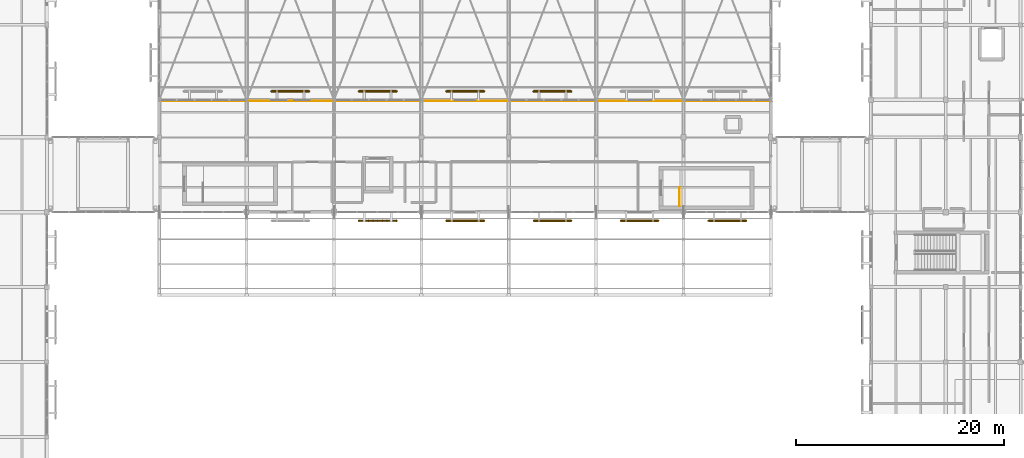
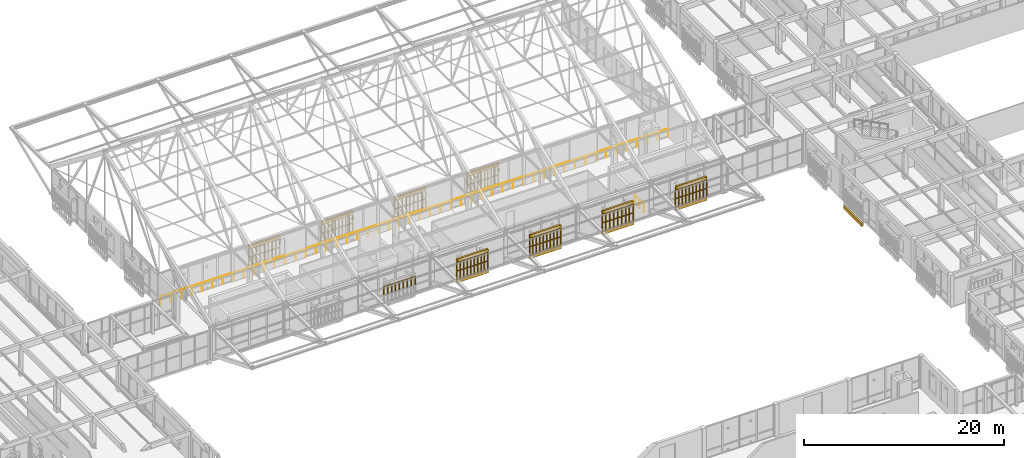
# One storey, part 207 of 217: 19 railings, 17 coverings.
"""IFC4 building model written with IfcOpenShell, lengths in metres."""

import ifcopenshell
import ifcopenshell.guid

model = None  # the IFC model being written
_history = None  # IfcOwnerHistory: only IFC2X3 demands one
_inside = {}  # id of a spatial element -> (the spatial element, [elements in it])
_under = {}  # id of a project, library or spatial element -> (it, [spatial elements below it])
_declared = {}  # id of a project -> (the project, [libraries it declares])
_typed = {}  # id of a type object -> (the type object, [elements of that type])
_made_of = {}  # id of a material, layer set ... -> (it, [elements and type objects made of it])


def new_model(schema):
    """Start an empty IFC model of exactly this schema.

    Asked for "IFC4X3", IfcOpenShell would pick the latest addendum, in which some entities
    have other attributes; the version numbers below select the first issue.
    IFC2X3 requires an IfcOwnerHistory on every rooted entity: one is made here for all.
    """
    global model, _history
    if schema == "IFC4X3":
        model = ifcopenshell.file(schema_version=(4, 3, 0, 0))
    else:
        model = ifcopenshell.file(schema=schema)
    _inside.clear()
    _under.clear()
    _declared.clear()
    _typed.clear()
    _made_of.clear()
    _history = None
    if model.schema == "IFC2X3":
        org = make("IfcOrganization", Name="unknown")
        user = make(
            "IfcPersonAndOrganization",
            ThePerson=make("IfcPerson", FamilyName="unknown"),
            TheOrganization=org,
        )
        app = make(
            "IfcApplication",
            ApplicationDeveloper=org,
            Version="unknown",
            ApplicationFullName="unknown",
            ApplicationIdentifier="unknown",
        )
        _history = make(
            "IfcOwnerHistory",
            OwningUser=user,
            OwningApplication=app,
            ChangeAction="ADDED",
            CreationDate=0,
        )
    return model


def make(cls, **values):
    """One entity of the class cls with the attributes given. An attribute that is None is left unset."""
    return model.create_entity(
        cls, **{name: value for name, value in values.items() if value is not None}
    )


def rooted(cls, **values):
    """An entity with a GlobalId (a new one), such as an element, a storey or a relation."""
    return make(cls, GlobalId=ifcopenshell.guid.new(), OwnerHistory=_history, **values)


def si_unit(unit_type, name, prefix=None):
    """IfcSIUnit, for example si_unit("LENGTHUNIT", "METRE", prefix="MILLI")."""
    return make("IfcSIUnit", UnitType=unit_type, Prefix=prefix, Name=name)


def assignment(units):
    """IfcUnitAssignment: the units of a project."""
    return None if units is None else make("IfcUnitAssignment", Units=units)


def point(xyz):
    """IfcCartesianPoint."""
    return None if xyz is None else make("IfcCartesianPoint", Coordinates=xyz)


def direction(xyz):
    """IfcDirection."""
    return None if xyz is None else make("IfcDirection", DirectionRatios=xyz)


def frame(location, z_axis=None, x_axis=None):
    """IfcAxis2Placement3D, a coordinate frame: its origin and axes. An axis left out is left unset."""
    return make(
        "IfcAxis2Placement3D",
        Location=point(location),
        Axis=direction(z_axis),
        RefDirection=direction(x_axis),
    )


def frame_2d(location, x_axis=None):
    """IfcAxis2Placement2D, a coordinate frame in the plane: its origin and x axis."""
    return make(
        "IfcAxis2Placement2D", Location=point(location), RefDirection=direction(x_axis)
    )


def origin():
    """The frame at (0, 0, 0) with its axes left unset."""
    return frame((0.0, 0.0, 0.0))


def origin_2d():
    """The frame at (0, 0) in the plane with its x axis left unset."""
    return frame_2d((0.0, 0.0))


def place(relative_to, where):
    """IfcLocalPlacement: puts the frame where relative to a parent placement (None: the world)."""
    return make(
        "IfcLocalPlacement", PlacementRelTo=relative_to, RelativePlacement=where
    )


def context(
    kind, dimensions, precision=None, world=None, true_north=None, identifier=None
):
    """IfcGeometricRepresentationContext, for example the 3D "Model" context."""
    return make(
        "IfcGeometricRepresentationContext",
        ContextIdentifier=identifier,
        ContextType=kind,
        CoordinateSpaceDimension=dimensions,
        Precision=precision,
        WorldCoordinateSystem=world,
        TrueNorth=true_north,
    )


def subcontext(parent, identifier, kind, view, scale=None):
    """IfcGeometricRepresentationSubContext, for example "Body" below "Model"."""
    return make(
        "IfcGeometricRepresentationSubContext",
        ContextIdentifier=identifier,
        ContextType=kind,
        ParentContext=parent,
        TargetScale=scale,
        TargetView=view,
    )


def project(units=None, contexts=None):
    """IfcProject with its units and contexts."""
    return rooted(
        "IfcProject",
        Name="project",
        RepresentationContexts=contexts,
        UnitsInContext=assignment(units),
    )


def spatial(cls, under=None, at=None, **own):
    """A site, building, storey or space (cls), placed at a placement, below another one or the project."""
    s = rooted(cls, ObjectPlacement=at, **own)
    if under is not None:
        _under.setdefault(under.id(), (under, []))[1].append(s)
    return s


def polyline(points):
    """IfcPolyline through the points."""
    return make("IfcPolyline", Points=[point(p) for p in points])


def profile(cls, at=None, kind="AREA", **sizes):
    """A parametric profile (cls). Its sizes go by their IFC names, for example OverallWidth=200.0."""
    return make(cls, ProfileType=kind, Position=at, **sizes)


def circle(**sizes):
    """IfcCircleProfileDef."""
    return profile("IfcCircleProfileDef", **sizes)


def outline(outer, holes=None, kind="AREA"):
    """IfcArbitraryClosedProfileDef: a profile drawn as a closed curve; with holes, ...WithVoids."""
    if holes is None:
        return make("IfcArbitraryClosedProfileDef", ProfileType=kind, OuterCurve=outer)
    return make(
        "IfcArbitraryProfileDefWithVoids",
        ProfileType=kind,
        OuterCurve=outer,
        InnerCurves=holes,
    )


def extrude(swept, where, along, depth):
    """IfcExtrudedAreaSolid: the profile swept, set in the frame where, extruded along a direction by depth."""
    return make(
        "IfcExtrudedAreaSolid",
        SweptArea=swept,
        Position=where,
        ExtrudedDirection=direction(along),
        Depth=depth,
    )


def shape(context_of_items, identifier, shape_type, items):
    """IfcShapeRepresentation: the items that make up one representation, for example the "Body"."""
    return make(
        "IfcShapeRepresentation",
        ContextOfItems=context_of_items,
        RepresentationIdentifier=identifier,
        RepresentationType=shape_type,
        Items=items,
    )


def material(Name=None, Category=None):
    """IfcMaterial."""
    return make("IfcMaterial", Name=Name, Category=Category)


def layer(
    of_material, thickness, ventilated=None, Name=None, Category=None, Priority=None
):
    """IfcMaterialLayer: one layer of a wall or slab, of a material (None: an air gap)."""
    return make(
        "IfcMaterialLayer",
        Material=of_material,
        LayerThickness=thickness,
        IsVentilated=ventilated,
        Name=Name,
        Category=Category,
        Priority=Priority,
    )


def layer_set(layers, Name=None):
    """IfcMaterialLayerSet."""
    return make("IfcMaterialLayerSet", MaterialLayers=layers, LayerSetName=Name)


def made_of(thing, what):
    """Note that an element or type object is made of a material, layer set ...; save() writes the relation."""
    if what is not None:
        _made_of.setdefault(what.id(), (what, []))[1].append(thing)
    return thing


def type_object(cls, material=None, **own):
    """A type object (cls), such as IfcWallType, which elements share."""
    return made_of(rooted(cls, **own), material)


def element(
    cls,
    number,
    at=None,
    inside=None,
    cuts=None,
    type_object=None,
    material=None,
    context=None,
    identifier="Body",
    shape_type=None,
    held_by="IfcProductDefinitionShape",
    body=None,
    shapes=None,
    **own,
):
    """One element of the class cls, such as IfcWall. Its Tag is "e" and its number.

    at: its placement. inside: the storey or other place that contains it. cuts: it is an
    opening in that element (IfcRelVoidsElement). A single representation is given by context,
    identifier, shape_type and body (its items); several are given by shapes. held_by: the class
    of the entity that holds the representations. save() writes the other relations.
    """
    e = rooted(cls, Tag="e%d" % number, ObjectPlacement=at, **own)
    if body is not None:
        shapes = [shape(context, identifier, shape_type, body)]
    if shapes is not None:
        e.Representation = make(held_by, Representations=shapes)
    if inside is not None:
        _inside.setdefault(inside.id(), (inside, []))[1].append(e)
    if cuts is not None:
        rooted(
            "IfcRelVoidsElement", RelatingBuildingElement=cuts, RelatedOpeningElement=e
        )
    if type_object is not None:
        _typed.setdefault(type_object.id(), (type_object, []))[1].append(e)
    return made_of(e, material)


def aggregate(whole, parts):
    """IfcRelAggregates: a whole, such as a stair, and the parts it consists of."""
    return rooted("IfcRelAggregates", RelatingObject=whole, RelatedObjects=parts)


def save(model, path):
    """Write the relations noted so far, then the file.

    IfcRelAggregates (storeys below a building ...), IfcRelContainedInSpatialStructure (elements
    in a storey), IfcRelDefinesByType, IfcRelAssociatesMaterial and IfcRelDeclares: one each for
    every whole, place, type object, material and project.
    """
    for whole, parts in _under.values():
        aggregate(whole, parts)
    for where, things in _inside.values():
        rooted(
            "IfcRelContainedInSpatialStructure",
            RelatedElements=things,
            RelatingStructure=where,
        )
    for kind, things in _typed.values():
        rooted("IfcRelDefinesByType", RelatedObjects=things, RelatingType=kind)
    for what, things in _made_of.values():
        rooted("IfcRelAssociatesMaterial", RelatedObjects=things, RelatingMaterial=what)
    for by, libraries in _declared.values():
        rooted("IfcRelDeclares", RelatingContext=by, RelatedDefinitions=libraries)
    model.write(path)


model = new_model("IFC4")

# Units and contexts
model_context = context("Model", 3, precision=1e-05, world=origin(), true_north=direction((0.0, 1.0)))
body_context = subcontext(model_context, "Body", "Model", "MODEL_VIEW")
ifc_project = project(units=[si_unit("LENGTHUNIT", "METRE"), si_unit("AREAUNIT", "SQUARE_METRE"), si_unit("VOLUMEUNIT", "CUBIC_METRE"), si_unit("PLANEANGLEUNIT", "RADIAN"), si_unit("MASSUNIT", "GRAM", prefix="KILO")], contexts=[model_context])

# Site, building, storey
site_placement = place(None, origin())
site = spatial("IfcSite", under=ifc_project, at=site_placement, CompositionType="ELEMENT")
building_placement = place(site_placement, origin())
building = spatial("IfcBuilding", under=site, at=building_placement, Name="Mazaris Harbour Polytechnic", CompositionType="ELEMENT")
storey_placement = place(building_placement, frame((0.0, 0.0, 9.60009765625)))
storey = spatial("IfcBuildingStorey", under=building, at=storey_placement, Name="L02", CompositionType="ELEMENT", Elevation=9.60009765625)

# Railings
ifc_material_1 = material(Name="Steel S355", Category="steel")
railing_type_1 = type_object("IfcRailingType", Name="Mezzanine Steel Guardrail 1100", PredefinedType="GUARDRAIL", material=ifc_material_1)
railing_1_placement = place(storey_placement, frame((54.14990234375, 86.300048828125, 0.0)))
element("IfcRailing", 1, at=railing_1_placement, inside=storey, type_object=railing_type_1, Name="Railing GRD-V1-L02", PredefinedType="GUARDRAIL", context=body_context, shape_type="SweptSolid", body=[
    extrude(circle(Radius=0.02392578125, at=origin_2d()), frame((0.0, 0.0, 1.09619140625), z_axis=(1.0, 0.0, 0.0), x_axis=(0.0, 1.0, 0.0)), (0.0, 0.0, 1.0), 58.5),
    extrude(circle(Radius=0.02099609375, at=origin_2d()), origin(), (0.0, 0.0, 1.0), 1.072021484375),
    extrude(circle(Radius=0.02099609375, at=origin_2d()), frame((1.19384765625, 0.0, 0.0)), (0.0, 0.0, 1.0), 1.072021484375),
    extrude(circle(Radius=0.02099609375, at=origin_2d()), frame((2.3876953125, 0.0, 0.0)), (0.0, 0.0, 1.0), 1.072021484375),
    extrude(circle(Radius=0.02099609375, at=origin_2d()), frame((3.58154296875, 0.0, 0.0)), (0.0, 0.0, 1.0), 1.072021484375),
    extrude(circle(Radius=0.02099609375, at=origin_2d()), frame((4.775390625, 0.0, 0.0)), (0.0, 0.0, 1.0), 1.072021484375),
    extrude(circle(Radius=0.02099609375, at=origin_2d()), frame((5.969482421875, 0.0, 0.0)), (0.0, 0.0, 1.0), 1.072021484375),
    extrude(circle(Radius=0.02099609375, at=origin_2d()), frame((7.163330078125, 0.0, 0.0)), (0.0, 0.0, 1.0), 1.072021484375),
    extrude(circle(Radius=0.02099609375, at=origin_2d()), frame((8.357177734375, 0.0, 0.0)), (0.0, 0.0, 1.0), 1.072021484375),
    extrude(circle(Radius=0.02099609375, at=origin_2d()), frame((9.551025390625, 0.0, 0.0)), (0.0, 0.0, 1.0), 1.072021484375),
    extrude(circle(Radius=0.02099609375, at=origin_2d()), frame((10.744873046875, 0.0, 0.0)), (0.0, 0.0, 1.0), 1.072021484375),
    extrude(circle(Radius=0.02099609375, at=origin_2d()), frame((11.938720703125, 0.0, 0.0)), (0.0, 0.0, 1.0), 1.072021484375),
    extrude(circle(Radius=0.02099609375, at=origin_2d()), frame((13.132568359375, 0.0, 0.0)), (0.0, 0.0, 1.0), 1.072021484375),
    extrude(circle(Radius=0.02099609375, at=origin_2d()), frame((14.326416015625, 0.0, 0.0)), (0.0, 0.0, 1.0), 1.072021484375),
    extrude(circle(Radius=0.02099609375, at=origin_2d()), frame((15.5205078125, 0.0, 0.0)), (0.0, 0.0, 1.0), 1.072021484375),
    extrude(circle(Radius=0.02099609375, at=origin_2d()), frame((16.71435546875, 0.0, 0.0)), (0.0, 0.0, 1.0), 1.072021484375),
    extrude(circle(Radius=0.02099609375, at=origin_2d()), frame((17.908203125, 0.0, 0.0)), (0.0, 0.0, 1.0), 1.072021484375),
    extrude(circle(Radius=0.02099609375, at=origin_2d()), frame((19.10205078125, 0.0, 0.0)), (0.0, 0.0, 1.0), 1.072021484375),
    extrude(circle(Radius=0.02099609375, at=origin_2d()), frame((20.2958984375, 0.0, 0.0)), (0.0, 0.0, 1.0), 1.072021484375),
    extrude(circle(Radius=0.02099609375, at=origin_2d()), frame((21.48974609375, 0.0, 0.0)), (0.0, 0.0, 1.0), 1.072021484375),
    extrude(circle(Radius=0.02099609375, at=origin_2d()), frame((22.68359375, 0.0, 0.0)), (0.0, 0.0, 1.0), 1.072021484375),
    extrude(circle(Radius=0.02099609375, at=origin_2d()), frame((23.87744140625, 0.0, 0.0)), (0.0, 0.0, 1.0), 1.072021484375),
    extrude(circle(Radius=0.02099609375, at=origin_2d()), frame((25.071533203125, 0.0, 0.0)), (0.0, 0.0, 1.0), 1.072021484375),
    extrude(circle(Radius=0.02099609375, at=origin_2d()), frame((26.265380859375, 0.0, 0.0)), (0.0, 0.0, 1.0), 1.072021484375),
    extrude(circle(Radius=0.02099609375, at=origin_2d()), frame((27.459228515625, 0.0, 0.0)), (0.0, 0.0, 1.0), 1.072021484375),
    extrude(circle(Radius=0.02099609375, at=origin_2d()), frame((28.653076171875, 0.0, 0.0)), (0.0, 0.0, 1.0), 1.072021484375),
    extrude(circle(Radius=0.02099609375, at=origin_2d()), frame((29.846923828125, 0.0, 0.0)), (0.0, 0.0, 1.0), 1.072021484375),
    extrude(circle(Radius=0.02099609375, at=origin_2d()), frame((31.040771484375, 0.0, 0.0)), (0.0, 0.0, 1.0), 1.072021484375),
    extrude(circle(Radius=0.02099609375, at=origin_2d()), frame((32.234619140625, 0.0, 0.0)), (0.0, 0.0, 1.0), 1.072021484375),
    extrude(circle(Radius=0.02099609375, at=origin_2d()), frame((33.428466796875, 0.0, 0.0)), (0.0, 0.0, 1.0), 1.072021484375),
    extrude(circle(Radius=0.02099609375, at=origin_2d()), frame((34.62255859375, 0.0, 0.0)), (0.0, 0.0, 1.0), 1.072021484375),
    extrude(circle(Radius=0.02099609375, at=origin_2d()), frame((35.81640625, 0.0, 0.0)), (0.0, 0.0, 1.0), 1.072021484375),
    extrude(circle(Radius=0.02099609375, at=origin_2d()), frame((37.01025390625, 0.0, 0.0)), (0.0, 0.0, 1.0), 1.072021484375),
    extrude(circle(Radius=0.02099609375, at=origin_2d()), frame((38.2041015625, 0.0, 0.0)), (0.0, 0.0, 1.0), 1.072021484375),
    extrude(circle(Radius=0.02099609375, at=origin_2d()), frame((39.39794921875, 0.0, 0.0)), (0.0, 0.0, 1.0), 1.072021484375),
    extrude(circle(Radius=0.02099609375, at=origin_2d()), frame((40.591796875, 0.0, 0.0)), (0.0, 0.0, 1.0), 1.072021484375),
    extrude(circle(Radius=0.02099609375, at=origin_2d()), frame((41.78564453125, 0.0, 0.0)), (0.0, 0.0, 1.0), 1.072021484375),
    extrude(circle(Radius=0.02099609375, at=origin_2d()), frame((42.9794921875, 0.0, 0.0)), (0.0, 0.0, 1.0), 1.072021484375),
    extrude(circle(Radius=0.02099609375, at=origin_2d()), frame((44.173583984375, 0.0, 0.0)), (0.0, 0.0, 1.0), 1.072021484375),
    extrude(circle(Radius=0.02099609375, at=origin_2d()), frame((45.367431640625, 0.0, 0.0)), (0.0, 0.0, 1.0), 1.072021484375),
    extrude(circle(Radius=0.02099609375, at=origin_2d()), frame((46.561279296875, 0.0, 0.0)), (0.0, 0.0, 1.0), 1.072021484375),
    extrude(circle(Radius=0.02099609375, at=origin_2d()), frame((47.755126953125, 0.0, 0.0)), (0.0, 0.0, 1.0), 1.072021484375),
    extrude(circle(Radius=0.02099609375, at=origin_2d()), frame((48.948974609375, 0.0, 0.0)), (0.0, 0.0, 1.0), 1.072021484375),
    extrude(circle(Radius=0.02099609375, at=origin_2d()), frame((50.142822265625, 0.0, 0.0)), (0.0, 0.0, 1.0), 1.072021484375),
    extrude(circle(Radius=0.02099609375, at=origin_2d()), frame((51.336669921875, 0.0, 0.0)), (0.0, 0.0, 1.0), 1.072021484375),
    extrude(circle(Radius=0.02099609375, at=origin_2d()), frame((52.530517578125, 0.0, 0.0)), (0.0, 0.0, 1.0), 1.072021484375),
    extrude(circle(Radius=0.02099609375, at=origin_2d()), frame((53.724609375, 0.0, 0.0)), (0.0, 0.0, 1.0), 1.072021484375),
    extrude(circle(Radius=0.02099609375, at=origin_2d()), frame((54.91845703125, 0.0, 0.0)), (0.0, 0.0, 1.0), 1.072021484375),
    extrude(circle(Radius=0.02099609375, at=origin_2d()), frame((56.1123046875, 0.0, 0.0)), (0.0, 0.0, 1.0), 1.072021484375),
    extrude(circle(Radius=0.02099609375, at=origin_2d()), frame((57.30615234375, 0.0, 0.0)), (0.0, 0.0, 1.0), 1.072021484375),
    extrude(circle(Radius=0.02099609375, at=origin_2d()), frame((58.5, 0.0, 0.0)), (0.0, 0.0, 1.0), 1.072021484375),
])
ifc_material_2 = material(Name="Perforated Earth-Coloured Terracotta Block", Category="masonry")
railing_type_2 = type_object("IfcRailingType", Name="Perforated Earth-Block Claustra Lattice 1040", PredefinedType="BALUSTRADE", material=ifc_material_2)
railing_2_placement = place(storey_placement, frame((76.804931640625, 74.780029296875, 1.60986328125)))
element("IfcRailing", 2, at=railing_2_placement, inside=storey, type_object=railing_type_2, Name="V1 L02 Upper Perforated Terracotta Block Screen 25", PredefinedType="BALUSTRADE", context=body_context, shape_type="SweptSolid", body=[
    extrude(circle(Radius=0.06982421875, at=origin_2d()), frame((0.0, 0.0, 1.02001953125), z_axis=(-1.0, 0.0, 0.0), x_axis=(0.0, -1.0, 0.0)), (0.0, 0.0, 1.0), 3.599853515625),
    extrude(circle(Radius=0.074951171875, at=origin_2d()), origin(), (0.0, 0.0, 1.0), 0.9501953125),
    extrude(circle(Radius=0.074951171875, at=origin_2d()), frame((-0.449951171875, 0.0, 0.0)), (0.0, 0.0, 1.0), 0.9501953125),
    extrude(circle(Radius=0.074951171875, at=origin_2d()), frame((-0.89990234375, 0.0, 0.0)), (0.0, 0.0, 1.0), 0.9501953125),
    extrude(circle(Radius=0.074951171875, at=origin_2d()), frame((-1.349853515625, 0.0, 0.0)), (0.0, 0.0, 1.0), 0.9501953125),
    extrude(circle(Radius=0.074951171875, at=origin_2d()), frame((-1.7998046875, 0.0, 0.0)), (0.0, 0.0, 1.0), 0.9501953125),
    extrude(circle(Radius=0.074951171875, at=origin_2d()), frame((-2.25, 0.0, 0.0)), (0.0, 0.0, 1.0), 0.9501953125),
    extrude(circle(Radius=0.074951171875, at=origin_2d()), frame((-2.699951171875, 0.0, 0.0)), (0.0, 0.0, 1.0), 0.9501953125),
    extrude(circle(Radius=0.074951171875, at=origin_2d()), frame((-3.14990234375, 0.0, 0.0)), (0.0, 0.0, 1.0), 0.9501953125),
    extrude(circle(Radius=0.074951171875, at=origin_2d()), frame((-3.599853515625, 0.0, 0.0)), (0.0, 0.0, 1.0), 0.9501953125),
])
for number, where, name in (
    (3, (85.215087890625, 74.780029296875, 0.52001953125), "V1 L02 Lower Perforated Terracotta Block Screen 26"),
    (4, (85.215087890625, 74.780029296875, 1.60986328125), "V1 L02 Upper Perforated Terracotta Block Screen 26"),
    (5, (93.60498046875, 74.780029296875, 0.52001953125), "V1 L02 Lower Perforated Terracotta Block Screen 27"),
    (6, (93.60498046875, 74.780029296875, 1.60986328125), "V1 L02 Upper Perforated Terracotta Block Screen 27"),
):
    element("IfcRailing", number, at=place(storey_placement, frame(where)), inside=storey, type_object=railing_type_2, Name=name, PredefinedType="BALUSTRADE", context=body_context, shape_type="SweptSolid", body=[
        extrude(circle(Radius=0.06982421875, at=origin_2d()), frame((0.0, 0.0, 1.02001953125), z_axis=(-1.0, 0.0, 0.0), x_axis=(0.0, -1.0, 0.0)), (0.0, 0.0, 1.0), 3.60009765625),
        extrude(circle(Radius=0.074951171875, at=origin_2d()), origin(), (0.0, 0.0, 1.0), 0.9501953125),
        extrude(circle(Radius=0.074951171875, at=origin_2d()), frame((-0.39990234375, 0.0, 0.0)), (0.0, 0.0, 1.0), 0.9501953125),
        extrude(circle(Radius=0.074951171875, at=origin_2d()), frame((-0.800048828125, 0.0, 0.0)), (0.0, 0.0, 1.0), 0.9501953125),
        extrude(circle(Radius=0.074951171875, at=origin_2d()), frame((-1.199951171875, 0.0, 0.0)), (0.0, 0.0, 1.0), 0.9501953125),
        extrude(circle(Radius=0.074951171875, at=origin_2d()), frame((-1.60009765625, 0.0, 0.0)), (0.0, 0.0, 1.0), 0.9501953125),
        extrude(circle(Radius=0.074951171875, at=origin_2d()), frame((-2.0, 0.0, 0.0)), (0.0, 0.0, 1.0), 0.9501953125),
        extrude(circle(Radius=0.074951171875, at=origin_2d()), frame((-2.400146484375, 0.0, 0.0)), (0.0, 0.0, 1.0), 0.9501953125),
        extrude(circle(Radius=0.074951171875, at=origin_2d()), frame((-2.800048828125, 0.0, 0.0)), (0.0, 0.0, 1.0), 0.9501953125),
        extrude(circle(Radius=0.074951171875, at=origin_2d()), frame((-3.2001953125, 0.0, 0.0)), (0.0, 0.0, 1.0), 0.9501953125),
        extrude(circle(Radius=0.074951171875, at=origin_2d()), frame((-3.60009765625, 0.0, 0.0)), (0.0, 0.0, 1.0), 0.9501953125),
    ])
for number, where, name in (
    (7, (101.969970703125, 74.780029296875, 0.52001953125), "V1 L02 Lower Perforated Terracotta Block Screen 28"),
    (8, (101.969970703125, 74.780029296875, 1.60986328125), "V1 L02 Upper Perforated Terracotta Block Screen 28"),
):
    element("IfcRailing", number, at=place(storey_placement, frame(where)), inside=storey, type_object=railing_type_2, Name=name, PredefinedType="BALUSTRADE", context=body_context, shape_type="SweptSolid", body=[
        extrude(circle(Radius=0.06982421875, at=origin_2d()), frame((0.0, 0.0, 1.02001953125), z_axis=(-1.0, 0.0, 0.0), x_axis=(0.0, -1.0, 0.0)), (0.0, 0.0, 1.0), 3.599853515625),
        extrude(circle(Radius=0.074951171875, at=origin_2d()), origin(), (0.0, 0.0, 1.0), 0.9501953125),
        extrude(circle(Radius=0.074951171875, at=origin_2d()), frame((-0.449951171875, 0.0, 0.0)), (0.0, 0.0, 1.0), 0.9501953125),
        extrude(circle(Radius=0.074951171875, at=origin_2d()), frame((-0.89990234375, 0.0, 0.0)), (0.0, 0.0, 1.0), 0.9501953125),
        extrude(circle(Radius=0.074951171875, at=origin_2d()), frame((-1.349853515625, 0.0, 0.0)), (0.0, 0.0, 1.0), 0.9501953125),
        extrude(circle(Radius=0.074951171875, at=origin_2d()), frame((-1.7998046875, 0.0, 0.0)), (0.0, 0.0, 1.0), 0.9501953125),
        extrude(circle(Radius=0.074951171875, at=origin_2d()), frame((-2.25, 0.0, 0.0)), (0.0, 0.0, 1.0), 0.9501953125),
        extrude(circle(Radius=0.074951171875, at=origin_2d()), frame((-2.699951171875, 0.0, 0.0)), (0.0, 0.0, 1.0), 0.9501953125),
        extrude(circle(Radius=0.074951171875, at=origin_2d()), frame((-3.14990234375, 0.0, 0.0)), (0.0, 0.0, 1.0), 0.9501953125),
        extrude(circle(Radius=0.074951171875, at=origin_2d()), frame((-3.599853515625, 0.0, 0.0)), (0.0, 0.0, 1.0), 0.9501953125),
    ])
for number, where, name in (
    (9, (110.4150390625, 74.780029296875, 0.52001953125), "V1 L02 Lower Perforated Terracotta Block Screen 29"),
    (10, (110.4150390625, 74.780029296875, 1.60986328125), "V1 L02 Upper Perforated Terracotta Block Screen 29"),
):
    element("IfcRailing", number, at=place(storey_placement, frame(where)), inside=storey, type_object=railing_type_2, Name=name, PredefinedType="BALUSTRADE", context=body_context, shape_type="SweptSolid", body=[
        extrude(circle(Radius=0.06982421875, at=origin_2d()), frame((0.0, 0.0, 1.02001953125), z_axis=(-1.0, 0.0, 0.0), x_axis=(0.0, -1.0, 0.0)), (0.0, 0.0, 1.0), 3.60009765625),
        extrude(circle(Radius=0.074951171875, at=origin_2d()), origin(), (0.0, 0.0, 1.0), 0.9501953125),
        extrude(circle(Radius=0.074951171875, at=origin_2d()), frame((-0.39990234375, 0.0, 0.0)), (0.0, 0.0, 1.0), 0.9501953125),
        extrude(circle(Radius=0.074951171875, at=origin_2d()), frame((-0.800048828125, 0.0, 0.0)), (0.0, 0.0, 1.0), 0.9501953125),
        extrude(circle(Radius=0.074951171875, at=origin_2d()), frame((-1.199951171875, 0.0, 0.0)), (0.0, 0.0, 1.0), 0.9501953125),
        extrude(circle(Radius=0.074951171875, at=origin_2d()), frame((-1.60009765625, 0.0, 0.0)), (0.0, 0.0, 1.0), 0.9501953125),
        extrude(circle(Radius=0.074951171875, at=origin_2d()), frame((-2.0, 0.0, 0.0)), (0.0, 0.0, 1.0), 0.9501953125),
        extrude(circle(Radius=0.074951171875, at=origin_2d()), frame((-2.400146484375, 0.0, 0.0)), (0.0, 0.0, 1.0), 0.9501953125),
        extrude(circle(Radius=0.074951171875, at=origin_2d()), frame((-2.800048828125, 0.0, 0.0)), (0.0, 0.0, 1.0), 0.9501953125),
        extrude(circle(Radius=0.074951171875, at=origin_2d()), frame((-3.2001953125, 0.0, 0.0)), (0.0, 0.0, 1.0), 0.9501953125),
        extrude(circle(Radius=0.074951171875, at=origin_2d()), frame((-3.60009765625, 0.0, 0.0)), (0.0, 0.0, 1.0), 0.9501953125),
    ])
for number, where, name in (
    (11, (64.800048828125, 87.219970703125, 0.52001953125), "V1 L02 Lower Perforated Terracotta Block Screen 31"),
    (12, (64.800048828125, 87.219970703125, 1.60986328125), "V1 L02 Upper Perforated Terracotta Block Screen 31"),
):
    element("IfcRailing", number, at=place(storey_placement, frame(where)), inside=storey, type_object=railing_type_2, Name=name, PredefinedType="BALUSTRADE", context=body_context, shape_type="SweptSolid", body=[
        extrude(circle(Radius=0.06982421875, at=origin_2d()), frame((0.0, 0.0, 1.02001953125), z_axis=(1.0, 0.0, 0.0), x_axis=(0.0, 1.0, 0.0)), (0.0, 0.0, 1.0), 3.599853515625),
        extrude(circle(Radius=0.074951171875, at=origin_2d()), origin(), (0.0, 0.0, 1.0), 0.9501953125),
        extrude(circle(Radius=0.074951171875, at=origin_2d()), frame((0.449951171875, 0.0, 0.0)), (0.0, 0.0, 1.0), 0.9501953125),
        extrude(circle(Radius=0.074951171875, at=origin_2d()), frame((0.89990234375, 0.0, 0.0)), (0.0, 0.0, 1.0), 0.9501953125),
        extrude(circle(Radius=0.074951171875, at=origin_2d()), frame((1.349853515625, 0.0, 0.0)), (0.0, 0.0, 1.0), 0.9501953125),
        extrude(circle(Radius=0.074951171875, at=origin_2d()), frame((1.7998046875, 0.0, 0.0)), (0.0, 0.0, 1.0), 0.9501953125),
        extrude(circle(Radius=0.074951171875, at=origin_2d()), frame((2.25, 0.0, 0.0)), (0.0, 0.0, 1.0), 0.9501953125),
        extrude(circle(Radius=0.074951171875, at=origin_2d()), frame((2.699951171875, 0.0, 0.0)), (0.0, 0.0, 1.0), 0.9501953125),
        extrude(circle(Radius=0.074951171875, at=origin_2d()), frame((3.14990234375, 0.0, 0.0)), (0.0, 0.0, 1.0), 0.9501953125),
        extrude(circle(Radius=0.074951171875, at=origin_2d()), frame((3.599853515625, 0.0, 0.0)), (0.0, 0.0, 1.0), 0.9501953125),
    ])
for number, where, name in (
    (13, (73.199951171875, 87.219970703125, 0.52001953125), "V1 L02 Lower Perforated Terracotta Block Screen 32"),
    (14, (73.199951171875, 87.219970703125, 1.60986328125), "V1 L02 Upper Perforated Terracotta Block Screen 32"),
):
    element("IfcRailing", number, at=place(storey_placement, frame(where)), inside=storey, type_object=railing_type_2, Name=name, PredefinedType="BALUSTRADE", context=body_context, shape_type="SweptSolid", body=[
        extrude(circle(Radius=0.06982421875, at=origin_2d()), frame((0.0, 0.0, 1.02001953125), z_axis=(1.0, 0.0, 0.0), x_axis=(0.0, 1.0, 0.0)), (0.0, 0.0, 1.0), 3.60009765625),
        extrude(circle(Radius=0.074951171875, at=origin_2d()), origin(), (0.0, 0.0, 1.0), 0.9501953125),
        extrude(circle(Radius=0.074951171875, at=origin_2d()), frame((0.39990234375, 0.0, 0.0)), (0.0, 0.0, 1.0), 0.9501953125),
        extrude(circle(Radius=0.074951171875, at=origin_2d()), frame((0.800048828125, 0.0, 0.0)), (0.0, 0.0, 1.0), 0.9501953125),
        extrude(circle(Radius=0.074951171875, at=origin_2d()), frame((1.199951171875, 0.0, 0.0)), (0.0, 0.0, 1.0), 0.9501953125),
        extrude(circle(Radius=0.074951171875, at=origin_2d()), frame((1.60009765625, 0.0, 0.0)), (0.0, 0.0, 1.0), 0.9501953125),
        extrude(circle(Radius=0.074951171875, at=origin_2d()), frame((2.0, 0.0, 0.0)), (0.0, 0.0, 1.0), 0.9501953125),
        extrude(circle(Radius=0.074951171875, at=origin_2d()), frame((2.400146484375, 0.0, 0.0)), (0.0, 0.0, 1.0), 0.9501953125),
        extrude(circle(Radius=0.074951171875, at=origin_2d()), frame((2.800048828125, 0.0, 0.0)), (0.0, 0.0, 1.0), 0.9501953125),
        extrude(circle(Radius=0.074951171875, at=origin_2d()), frame((3.2001953125, 0.0, 0.0)), (0.0, 0.0, 1.0), 0.9501953125),
        extrude(circle(Radius=0.074951171875, at=origin_2d()), frame((3.60009765625, 0.0, 0.0)), (0.0, 0.0, 1.0), 0.9501953125),
    ])
for number, where, name in (
    (15, (81.60009765625, 87.219970703125, 0.52001953125), "V1 L02 Lower Perforated Terracotta Block Screen 33"),
    (16, (81.60009765625, 87.219970703125, 1.60986328125), "V1 L02 Upper Perforated Terracotta Block Screen 33"),
):
    element("IfcRailing", number, at=place(storey_placement, frame(where)), inside=storey, type_object=railing_type_2, Name=name, PredefinedType="BALUSTRADE", context=body_context, shape_type="SweptSolid", body=[
        extrude(circle(Radius=0.06982421875, at=origin_2d()), frame((0.0, 0.0, 1.02001953125), z_axis=(1.0, 0.0, 0.0), x_axis=(0.0, 1.0, 0.0)), (0.0, 0.0, 1.0), 3.599853515625),
        extrude(circle(Radius=0.074951171875, at=origin_2d()), origin(), (0.0, 0.0, 1.0), 0.9501953125),
        extrude(circle(Radius=0.074951171875, at=origin_2d()), frame((0.449951171875, 0.0, 0.0)), (0.0, 0.0, 1.0), 0.9501953125),
        extrude(circle(Radius=0.074951171875, at=origin_2d()), frame((0.89990234375, 0.0, 0.0)), (0.0, 0.0, 1.0), 0.9501953125),
        extrude(circle(Radius=0.074951171875, at=origin_2d()), frame((1.349853515625, 0.0, 0.0)), (0.0, 0.0, 1.0), 0.9501953125),
        extrude(circle(Radius=0.074951171875, at=origin_2d()), frame((1.7998046875, 0.0, 0.0)), (0.0, 0.0, 1.0), 0.9501953125),
        extrude(circle(Radius=0.074951171875, at=origin_2d()), frame((2.25, 0.0, 0.0)), (0.0, 0.0, 1.0), 0.9501953125),
        extrude(circle(Radius=0.074951171875, at=origin_2d()), frame((2.699951171875, 0.0, 0.0)), (0.0, 0.0, 1.0), 0.9501953125),
        extrude(circle(Radius=0.074951171875, at=origin_2d()), frame((3.14990234375, 0.0, 0.0)), (0.0, 0.0, 1.0), 0.9501953125),
        extrude(circle(Radius=0.074951171875, at=origin_2d()), frame((3.599853515625, 0.0, 0.0)), (0.0, 0.0, 1.0), 0.9501953125),
    ])
for number, where, name in (
    (17, (90.0, 87.219970703125, 0.52001953125), "V1 L02 Lower Perforated Terracotta Block Screen 34"),
    (18, (90.0, 87.219970703125, 1.60986328125), "V1 L02 Upper Perforated Terracotta Block Screen 34"),
):
    element("IfcRailing", number, at=place(storey_placement, frame(where)), inside=storey, type_object=railing_type_2, Name=name, PredefinedType="BALUSTRADE", context=body_context, shape_type="SweptSolid", body=[
        extrude(circle(Radius=0.06982421875, at=origin_2d()), frame((0.0, 0.0, 1.02001953125), z_axis=(1.0, 0.0, 0.0), x_axis=(0.0, 1.0, 0.0)), (0.0, 0.0, 1.0), 3.60009765625),
        extrude(circle(Radius=0.074951171875, at=origin_2d()), origin(), (0.0, 0.0, 1.0), 0.9501953125),
        extrude(circle(Radius=0.074951171875, at=origin_2d()), frame((0.39990234375, 0.0, 0.0)), (0.0, 0.0, 1.0), 0.9501953125),
        extrude(circle(Radius=0.074951171875, at=origin_2d()), frame((0.800048828125, 0.0, 0.0)), (0.0, 0.0, 1.0), 0.9501953125),
        extrude(circle(Radius=0.074951171875, at=origin_2d()), frame((1.199951171875, 0.0, 0.0)), (0.0, 0.0, 1.0), 0.9501953125),
        extrude(circle(Radius=0.074951171875, at=origin_2d()), frame((1.60009765625, 0.0, 0.0)), (0.0, 0.0, 1.0), 0.9501953125),
        extrude(circle(Radius=0.074951171875, at=origin_2d()), frame((2.0, 0.0, 0.0)), (0.0, 0.0, 1.0), 0.9501953125),
        extrude(circle(Radius=0.074951171875, at=origin_2d()), frame((2.400146484375, 0.0, 0.0)), (0.0, 0.0, 1.0), 0.9501953125),
        extrude(circle(Radius=0.074951171875, at=origin_2d()), frame((2.800048828125, 0.0, 0.0)), (0.0, 0.0, 1.0), 0.9501953125),
        extrude(circle(Radius=0.074951171875, at=origin_2d()), frame((3.2001953125, 0.0, 0.0)), (0.0, 0.0, 1.0), 0.9501953125),
        extrude(circle(Radius=0.074951171875, at=origin_2d()), frame((3.60009765625, 0.0, 0.0)), (0.0, 0.0, 1.0), 0.9501953125),
    ])
ifc_material_3 = material(Name="Steel S355", Category="steel")
railing_type_3 = type_object("IfcRailingType", Name="Stair Well Guardrail 1100", PredefinedType="GUARDRAIL", material=ifc_material_3)
railing_3_placement = place(storey_placement, frame((104.0, 76.199951171875, 0.0)))
element("IfcRailing", 19, at=railing_3_placement, inside=storey, type_object=railing_type_3, Name="L02 ST02 top well guard 1", PredefinedType="GUARDRAIL", context=body_context, shape_type="SweptSolid", body=[
    extrude(circle(Radius=0.02392578125, at=origin_2d()), frame((0.0, 0.0, 1.076171875), z_axis=(0.0, 1.0, 0.0), x_axis=(-1.0, 0.0, 0.0)), (0.0, 0.0, 1.0), 1.800048828125),
    extrude(circle(Radius=0.02099609375, at=origin_2d()), origin(), (0.0, 0.0, 1.0), 1.052001953125),
    extrude(circle(Radius=0.02099609375, at=origin_2d()), frame((0.0, 0.89990234375, 0.0)), (0.0, 0.0, 1.0), 1.052001953125),
    extrude(circle(Radius=0.02099609375, at=origin_2d()), frame((0.0, 1.800048828125, 0.0)), (0.0, 0.0, 1.0), 1.052001953125),
])

# Coverings
ifc_material_4 = material(Name="Perforated Earth-Coloured Terracotta Block", Category="masonry")
ifc_layer = layer(ifc_material_4, 0.219970703125, Name="Perforated Earth-Coloured Terracotta Block")
ifc_layer_set = layer_set([ifc_layer], Name="Perforated Earth-Coloured Terracotta Block")
covering_type = type_object("IfcCoveringType", Name="Terracotta Screen Course Cladding 220", PredefinedType="CLADDING", material=ifc_layer_set)
covering_1_placement = place(storey_placement, frame((0.0, 0.0, 0.159912109375)))
element("IfcCovering", 20, at=covering_1_placement, inside=storey, type_object=covering_type, Name="V1 L02 Perforated Screen Sill Course 26", PredefinedType="CLADDING", context=body_context, shape_type="SweptSolid", body=[
    extrude(outline(polyline([(85.215087890625, 74.889892578125), (81.614990234375, 74.889892578125), (81.614990234375, 74.669921875), (85.215087890625, 74.669921875), (85.215087890625, 74.889892578125)])), origin(), (0.0, 0.0, 1.0), 0.360107421875),
])
covering_2_placement = place(storey_placement, frame((0.0, 0.0, 2.699951171875)))
element("IfcCovering", 21, at=covering_2_placement, inside=storey, type_object=covering_type, Name="V1 L02 Perforated Screen Lintel Course 26", PredefinedType="CLADDING", context=body_context, shape_type="SweptSolid", body=[
    extrude(outline(polyline([(85.215087890625, 74.889892578125), (81.614990234375, 74.889892578125), (81.614990234375, 74.669921875), (85.215087890625, 74.669921875), (85.215087890625, 74.889892578125)])), origin(), (0.0, 0.0, 1.0), 0.33984375),
])
covering_3_placement = place(storey_placement, frame((0.0, 0.0, 0.159912109375)))
element("IfcCovering", 22, at=covering_3_placement, inside=storey, type_object=covering_type, Name="V1 L02 Perforated Screen Sill Course 27", PredefinedType="CLADDING", context=body_context, shape_type="SweptSolid", body=[
    extrude(outline(polyline([(93.60498046875, 74.889892578125), (90.0048828125, 74.889892578125), (90.0048828125, 74.669921875), (93.60498046875, 74.669921875), (93.60498046875, 74.889892578125)])), origin(), (0.0, 0.0, 1.0), 0.360107421875),
])
covering_4_placement = place(storey_placement, frame((0.0, 0.0, 2.699951171875)))
element("IfcCovering", 23, at=covering_4_placement, inside=storey, type_object=covering_type, Name="V1 L02 Perforated Screen Lintel Course 27", PredefinedType="CLADDING", context=body_context, shape_type="SweptSolid", body=[
    extrude(outline(polyline([(93.60498046875, 74.889892578125), (90.0048828125, 74.889892578125), (90.0048828125, 74.669921875), (93.60498046875, 74.669921875), (93.60498046875, 74.889892578125)])), origin(), (0.0, 0.0, 1.0), 0.33984375),
])
covering_5_placement = place(storey_placement, frame((0.0, 0.0, 0.159912109375)))
element("IfcCovering", 24, at=covering_5_placement, inside=storey, type_object=covering_type, Name="V1 L02 Perforated Screen Sill Course 28", PredefinedType="CLADDING", context=body_context, shape_type="SweptSolid", body=[
    extrude(outline(polyline([(101.969970703125, 74.889892578125), (98.3701171875, 74.889892578125), (98.3701171875, 74.669921875), (101.969970703125, 74.669921875), (101.969970703125, 74.889892578125)])), origin(), (0.0, 0.0, 1.0), 0.360107421875),
])
covering_6_placement = place(storey_placement, frame((0.0, 0.0, 2.699951171875)))
element("IfcCovering", 25, at=covering_6_placement, inside=storey, type_object=covering_type, Name="V1 L02 Perforated Screen Lintel Course 28", PredefinedType="CLADDING", context=body_context, shape_type="SweptSolid", body=[
    extrude(outline(polyline([(101.969970703125, 74.889892578125), (98.3701171875, 74.889892578125), (98.3701171875, 74.669921875), (101.969970703125, 74.669921875), (101.969970703125, 74.889892578125)])), origin(), (0.0, 0.0, 1.0), 0.33984375),
])
covering_7_placement = place(storey_placement, frame((0.0, 0.0, 0.159912109375)))
element("IfcCovering", 26, at=covering_7_placement, inside=storey, type_object=covering_type, Name="V1 L02 Perforated Screen Sill Course 29", PredefinedType="CLADDING", context=body_context, shape_type="SweptSolid", body=[
    extrude(outline(polyline([(110.4150390625, 74.889892578125), (106.81494140625, 74.889892578125), (106.81494140625, 74.669921875), (110.4150390625, 74.669921875), (110.4150390625, 74.889892578125)])), origin(), (0.0, 0.0, 1.0), 0.360107421875),
])
covering_8_placement = place(storey_placement, frame((0.0, 0.0, 2.699951171875)))
element("IfcCovering", 27, at=covering_8_placement, inside=storey, type_object=covering_type, Name="V1 L02 Perforated Screen Lintel Course 29", PredefinedType="CLADDING", context=body_context, shape_type="SweptSolid", body=[
    extrude(outline(polyline([(110.4150390625, 74.889892578125), (106.81494140625, 74.889892578125), (106.81494140625, 74.669921875), (110.4150390625, 74.669921875), (110.4150390625, 74.889892578125)])), origin(), (0.0, 0.0, 1.0), 0.33984375),
])
covering_9_placement = place(storey_placement, frame((0.0, 0.0, 0.159912109375)))
element("IfcCovering", 28, at=covering_9_placement, inside=storey, type_object=covering_type, Name="V1 L02 Perforated Screen Sill Course 31", PredefinedType="CLADDING", context=body_context, shape_type="SweptSolid", body=[
    extrude(outline(polyline([(64.800048828125, 87.110107421875), (68.39990234375, 87.110107421875), (68.39990234375, 87.330078125), (64.800048828125, 87.330078125), (64.800048828125, 87.110107421875)])), origin(), (0.0, 0.0, 1.0), 0.360107421875),
])
covering_10_placement = place(storey_placement, frame((0.0, 0.0, 2.699951171875)))
element("IfcCovering", 29, at=covering_10_placement, inside=storey, type_object=covering_type, Name="V1 L02 Perforated Screen Lintel Course 31", PredefinedType="CLADDING", context=body_context, shape_type="SweptSolid", body=[
    extrude(outline(polyline([(64.800048828125, 87.110107421875), (68.39990234375, 87.110107421875), (68.39990234375, 87.330078125), (64.800048828125, 87.330078125), (64.800048828125, 87.110107421875)])), origin(), (0.0, 0.0, 1.0), 0.33984375),
])
covering_11_placement = place(storey_placement, frame((0.0, 0.0, 0.159912109375)))
element("IfcCovering", 30, at=covering_11_placement, inside=storey, type_object=covering_type, Name="V1 L02 Perforated Screen Sill Course 32", PredefinedType="CLADDING", context=body_context, shape_type="SweptSolid", body=[
    extrude(outline(polyline([(73.199951171875, 87.110107421875), (76.800048828125, 87.110107421875), (76.800048828125, 87.330078125), (73.199951171875, 87.330078125), (73.199951171875, 87.110107421875)])), origin(), (0.0, 0.0, 1.0), 0.360107421875),
])
covering_12_placement = place(storey_placement, frame((0.0, 0.0, 2.699951171875)))
element("IfcCovering", 31, at=covering_12_placement, inside=storey, type_object=covering_type, Name="V1 L02 Perforated Screen Lintel Course 32", PredefinedType="CLADDING", context=body_context, shape_type="SweptSolid", body=[
    extrude(outline(polyline([(73.199951171875, 87.110107421875), (76.800048828125, 87.110107421875), (76.800048828125, 87.330078125), (73.199951171875, 87.330078125), (73.199951171875, 87.110107421875)])), origin(), (0.0, 0.0, 1.0), 0.33984375),
])
covering_13_placement = place(storey_placement, frame((0.0, 0.0, 0.159912109375)))
element("IfcCovering", 32, at=covering_13_placement, inside=storey, type_object=covering_type, Name="V1 L02 Perforated Screen Sill Course 33", PredefinedType="CLADDING", context=body_context, shape_type="SweptSolid", body=[
    extrude(outline(polyline([(81.60009765625, 87.110107421875), (85.199951171875, 87.110107421875), (85.199951171875, 87.330078125), (81.60009765625, 87.330078125), (81.60009765625, 87.110107421875)])), origin(), (0.0, 0.0, 1.0), 0.360107421875),
])
covering_14_placement = place(storey_placement, frame((0.0, 0.0, 2.699951171875)))
element("IfcCovering", 33, at=covering_14_placement, inside=storey, type_object=covering_type, Name="V1 L02 Perforated Screen Lintel Course 33", PredefinedType="CLADDING", context=body_context, shape_type="SweptSolid", body=[
    extrude(outline(polyline([(81.60009765625, 87.110107421875), (85.199951171875, 87.110107421875), (85.199951171875, 87.330078125), (81.60009765625, 87.330078125), (81.60009765625, 87.110107421875)])), origin(), (0.0, 0.0, 1.0), 0.33984375),
])
covering_15_placement = place(storey_placement, frame((0.0, 0.0, 0.159912109375)))
element("IfcCovering", 34, at=covering_15_placement, inside=storey, type_object=covering_type, Name="V1 L02 Perforated Screen Sill Course 34", PredefinedType="CLADDING", context=body_context, shape_type="SweptSolid", body=[
    extrude(outline(polyline([(90.0, 87.110107421875), (93.60009765625, 87.110107421875), (93.60009765625, 87.330078125), (90.0, 87.330078125), (90.0, 87.110107421875)])), origin(), (0.0, 0.0, 1.0), 0.360107421875),
])
covering_16_placement = place(storey_placement, frame((0.0, 0.0, 2.699951171875)))
element("IfcCovering", 35, at=covering_16_placement, inside=storey, type_object=covering_type, Name="V1 L02 Perforated Screen Lintel Course 34", PredefinedType="CLADDING", context=body_context, shape_type="SweptSolid", body=[
    extrude(outline(polyline([(90.0, 87.110107421875), (93.60009765625, 87.110107421875), (93.60009765625, 87.330078125), (90.0, 87.330078125), (90.0, 87.110107421875)])), origin(), (0.0, 0.0, 1.0), 0.33984375),
])
covering_17_placement = place(storey_placement, frame((0.0, 0.0, 0.159912109375)))
element("IfcCovering", 36, at=covering_17_placement, inside=storey, type_object=covering_type, Name="V5 L02 Perforated Screen Sill Course 421", PredefinedType="CLADDING", context=body_context, shape_type="SweptSolid", body=[
    extrude(outline(polyline([(121.68994140625, 62.989990234375), (121.68994140625, 66.590087890625), (121.469970703125, 66.590087890625), (121.469970703125, 62.989990234375), (121.68994140625, 62.989990234375)])), origin(), (0.0, 0.0, 1.0), 0.360107421875),
])

save(model, "model.ifc")
